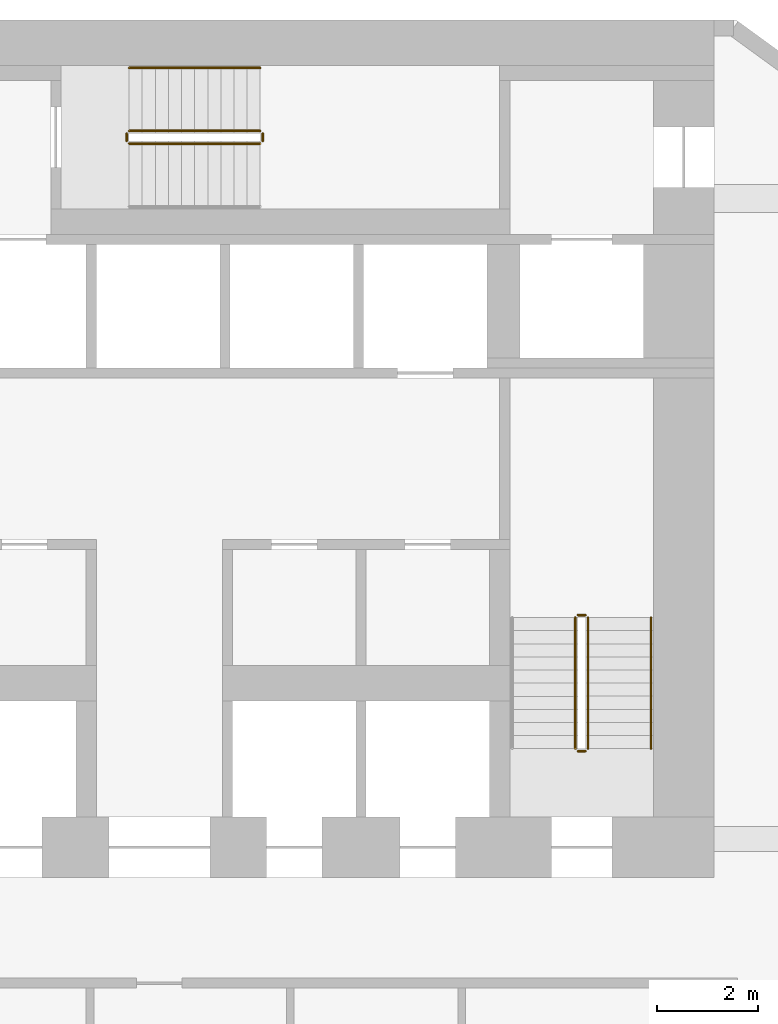
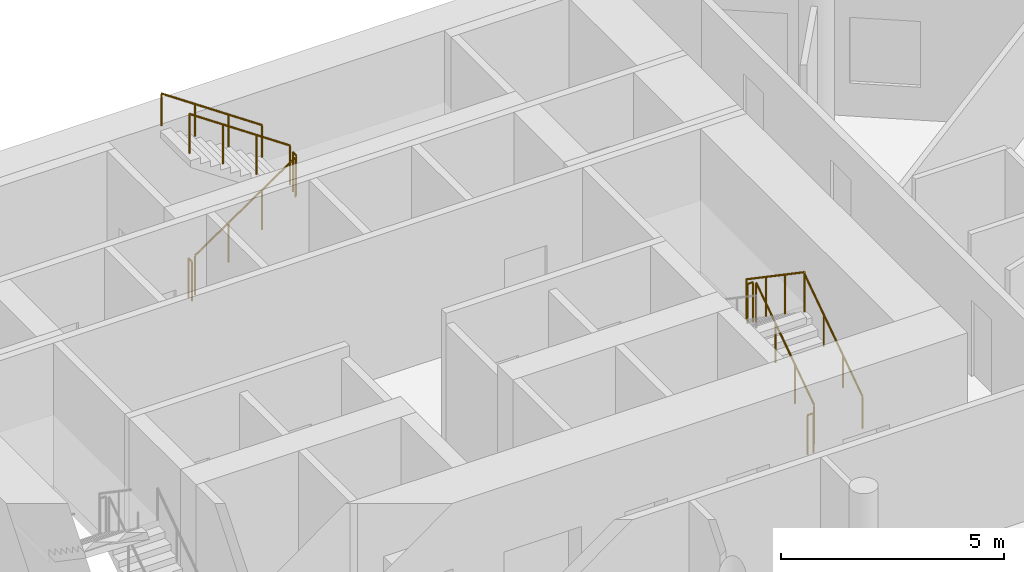
# One storey, part 9 of 9: 10 railings.
"""IFC4 building model written with IfcOpenShell, lengths in metres."""

from ifc_helpers import new_model, si_unit, direction, frame, origin, origin_2d, place, context, subcontext, project, spatial, circle, extrude, material, type_object, element, save


model = new_model("IFC4")

# Units and contexts
model_context = context("Model", 3, precision=1e-05, world=origin(), true_north=direction((0.0, 1.0)))
body_context = subcontext(model_context, "Body", "Model", "MODEL_VIEW")
ifc_project = project(units=[si_unit("LENGTHUNIT", "METRE"), si_unit("AREAUNIT", "SQUARE_METRE"), si_unit("VOLUMEUNIT", "CUBIC_METRE"), si_unit("PLANEANGLEUNIT", "RADIAN"), si_unit("MASSUNIT", "GRAM", prefix="KILO")], contexts=[model_context])

# Site, building, storey
site_placement = place(None, origin())
site = spatial("IfcSite", under=ifc_project, at=site_placement, CompositionType="ELEMENT")
building_placement = place(site_placement, origin())
building = spatial("IfcBuilding", under=site, at=building_placement, Name="White Candle Pilgrim Tower", CompositionType="ELEMENT")
storey_placement = place(building_placement, frame((0.0, 0.0, 46.800048828125)))
storey = spatial("IfcBuildingStorey", under=building, at=storey_placement, Name="L08", CompositionType="ELEMENT", Elevation=46.800048828125)

# Railings
ifc_material = material(Name="Stainless steel", Category="steel")
railing_type_1 = type_object("IfcRailingType", Name="Stair guard stainless steel 1100 mm", PredefinedType="GUARDRAIL", material=ifc_material)
railing_1_placement = place(storey_placement, frame((78.5, 73.550048828125, 0.17724609375)))
element("IfcRailing", 1, at=railing_1_placement, inside=storey, type_object=railing_type_1, Name="L08 ST2 stair guard 1", PredefinedType="GUARDRAIL", context=body_context, shape_type="SweptSolid", body=[
    extrude(circle(Radius=0.02392578125, at=origin_2d()), frame((0.0, 0.0, 1.076171875), z_axis=(0.0, 0.826215852431, 0.563353676824), x_axis=(-1.0, 0.0, 0.0)), (0.0, 0.0, 1.0), 3.146728515625),
    extrude(circle(Radius=0.02099609375, at=origin_2d()), origin(), (0.0, 0.0, 1.0), 1.052001953125),
    extrude(circle(Radius=0.02099609375, at=origin_2d()), frame((0.0, 0.86669921875, 0.5908203125)), (0.0, 0.0, 1.0), 1.052001953125),
    extrude(circle(Radius=0.02099609375, at=origin_2d()), frame((0.0, 1.733154296875, 1.181884765625)), (0.0, 0.0, 1.0), 1.052001953125),
    extrude(circle(Radius=0.02099609375, at=origin_2d()), frame((0.0, 2.599853515625, 1.772705078125)), (0.0, 0.0, 1.0), 1.052001953125),
])
railing_2_placement = place(storey_placement, frame((78.449951171875, 76.199951171875, 1.949951171875)))
element("IfcRailing", 2, at=railing_2_placement, inside=storey, type_object=railing_type_1, Name="L08 ST2 stair guard 2", PredefinedType="GUARDRAIL", context=body_context, shape_type="SweptSolid", body=[
    extrude(circle(Radius=0.02392578125, at=origin_2d()), frame((0.0, 0.0, 1.076171875), z_axis=(-1.0, 0.0, 0.0), x_axis=(0.0, -1.0, 0.0)), (0.0, 0.0, 1.0), 0.14990234375),
    extrude(circle(Radius=0.02099609375, at=origin_2d()), origin(), (0.0, 0.0, 1.0), 1.052001953125),
    extrude(circle(Radius=0.02099609375, at=origin_2d()), frame((-0.14990234375, 0.0, 0.0)), (0.0, 0.0, 1.0), 1.052001953125),
])
railing_3_placement = place(storey_placement, frame((78.25, 76.14990234375, 2.127197265625)))
element("IfcRailing", 3, at=railing_3_placement, inside=storey, type_object=railing_type_1, Name="L08 ST2 stair guard 3", PredefinedType="GUARDRAIL", context=body_context, shape_type="SweptSolid", body=[
    extrude(circle(Radius=0.02392578125, at=origin_2d()), frame((0.0, 0.0, 1.076171875), z_axis=(0.0, -0.826215852431, 0.563353676824), x_axis=(1.0, 0.0, 0.0)), (0.0, 0.0, 1.0), 3.146728515625),
    extrude(circle(Radius=0.02099609375, at=origin_2d()), origin(), (0.0, 0.0, 1.0), 1.052001953125),
    extrude(circle(Radius=0.02099609375, at=origin_2d()), frame((0.0, -0.86669921875, 0.5908203125)), (0.0, 0.0, 1.0), 1.052001953125),
    extrude(circle(Radius=0.02099609375, at=origin_2d()), frame((0.0, -1.733154296875, 1.181884765625)), (0.0, 0.0, 1.0), 1.052001953125),
    extrude(circle(Radius=0.02099609375, at=origin_2d()), frame((0.0, -2.599853515625, 1.772705078125)), (0.0, 0.0, 1.0), 1.052001953125),
])
railing_4_placement = place(storey_placement, frame((78.449951171875, 73.5, 0.0)))
element("IfcRailing", 4, at=railing_4_placement, inside=storey, type_object=railing_type_1, Name="L08 ST2 stair guard 4", PredefinedType="GUARDRAIL", context=body_context, shape_type="SweptSolid", body=[
    extrude(circle(Radius=0.02392578125, at=origin_2d()), frame((0.0, 0.0, 1.076171875), z_axis=(-1.0, 0.0, 0.0), x_axis=(0.0, -1.0, 0.0)), (0.0, 0.0, 1.0), 0.14990234375),
    extrude(circle(Radius=0.02099609375, at=origin_2d()), origin(), (0.0, 0.0, 1.0), 1.052001953125),
    extrude(circle(Radius=0.02099609375, at=origin_2d()), frame((-0.14990234375, 0.0, 0.0)), (0.0, 0.0, 1.0), 1.052001953125),
])
railing_5_placement = place(storey_placement, frame((69.39990234375, 85.550048828125, 0.17724609375)))
element("IfcRailing", 5, at=railing_5_placement, inside=storey, type_object=railing_type_1, Name="L08 ST3 stair guard 1", PredefinedType="GUARDRAIL", context=body_context, shape_type="SweptSolid", body=[
    extrude(circle(Radius=0.02392578125, at=origin_2d()), frame((0.0, 0.0, 1.076171875), z_axis=(0.826240473404, 0.0, 0.563317565952), x_axis=(0.0, 1.0, 0.0)), (0.0, 0.0, 1.0), 3.14697265625),
    extrude(circle(Radius=0.02099609375, at=origin_2d()), origin(), (0.0, 0.0, 1.0), 1.052001953125),
    extrude(circle(Radius=0.02099609375, at=origin_2d()), frame((0.86669921875, 0.0, 0.5908203125)), (0.0, 0.0, 1.0), 1.052001953125),
    extrude(circle(Radius=0.02099609375, at=origin_2d()), frame((1.7333984375, 0.0, 1.181884765625)), (0.0, 0.0, 1.0), 1.052001953125),
    extrude(circle(Radius=0.02099609375, at=origin_2d()), frame((2.60009765625, 0.0, 1.772705078125)), (0.0, 0.0, 1.0), 1.052001953125),
])
railing_6_placement = place(storey_placement, frame((72.050048828125, 85.60009765625, 1.949951171875)))
element("IfcRailing", 6, at=railing_6_placement, inside=storey, type_object=railing_type_1, Name="L08 ST3 stair guard 2", PredefinedType="GUARDRAIL", context=body_context, shape_type="SweptSolid", body=[
    extrude(circle(Radius=0.02392578125, at=origin_2d()), frame((0.0, 0.0, 1.076171875), z_axis=(0.0, 1.0, 0.0), x_axis=(-1.0, 0.0, 0.0)), (0.0, 0.0, 1.0), 0.14990234375),
    extrude(circle(Radius=0.02099609375, at=origin_2d()), origin(), (0.0, 0.0, 1.0), 1.052001953125),
    extrude(circle(Radius=0.02099609375, at=origin_2d()), frame((0.0, 0.14990234375, 0.0)), (0.0, 0.0, 1.0), 1.052001953125),
])
railing_7_placement = place(storey_placement, frame((72.0, 85.800048828125, 2.127197265625)))
element("IfcRailing", 7, at=railing_7_placement, inside=storey, type_object=railing_type_1, Name="L08 ST3 stair guard 3", PredefinedType="GUARDRAIL", context=body_context, shape_type="SweptSolid", body=[
    extrude(circle(Radius=0.02392578125, at=origin_2d()), frame((0.0, 0.0, 1.076171875), z_axis=(-0.826240473404, 0.0, 0.563317565952), x_axis=(0.0, -1.0, 0.0)), (0.0, 0.0, 1.0), 3.14697265625),
    extrude(circle(Radius=0.02099609375, at=origin_2d()), origin(), (0.0, 0.0, 1.0), 1.052001953125),
    extrude(circle(Radius=0.02099609375, at=origin_2d()), frame((-0.86669921875, 0.0, 0.5908203125)), (0.0, 0.0, 1.0), 1.052001953125),
    extrude(circle(Radius=0.02099609375, at=origin_2d()), frame((-1.7333984375, 0.0, 1.181884765625)), (0.0, 0.0, 1.0), 1.052001953125),
    extrude(circle(Radius=0.02099609375, at=origin_2d()), frame((-2.60009765625, 0.0, 1.772705078125)), (0.0, 0.0, 1.0), 1.052001953125),
])
railing_8_placement = place(storey_placement, frame((69.35009765625, 85.60009765625, 0.0)))
element("IfcRailing", 8, at=railing_8_placement, inside=storey, type_object=railing_type_1, Name="L08 ST3 stair guard 4", PredefinedType="GUARDRAIL", context=body_context, shape_type="SweptSolid", body=[
    extrude(circle(Radius=0.02392578125, at=origin_2d()), frame((0.0, 0.0, 1.076171875), z_axis=(0.0, 1.0, 0.0), x_axis=(-1.0, 0.0, 0.0)), (0.0, 0.0, 1.0), 0.14990234375),
    extrude(circle(Radius=0.02099609375, at=origin_2d()), origin(), (0.0, 0.0, 1.0), 1.052001953125),
    extrude(circle(Radius=0.02099609375, at=origin_2d()), frame((0.0, 0.14990234375, 0.0)), (0.0, 0.0, 1.0), 1.052001953125),
])
railing_type_2 = type_object("IfcRailingType", Name="Stair handrail stainless steel", PredefinedType="HANDRAIL", material=ifc_material)
railing_9_placement = place(storey_placement, frame((79.75, 73.550048828125, 0.17724609375)))
element("IfcRailing", 9, at=railing_9_placement, inside=storey, type_object=railing_type_2, Name="L08 ST2 stair handrail 1", PredefinedType="HANDRAIL", context=body_context, shape_type="SweptSolid", body=[
    extrude(circle(Radius=0.02392578125, at=origin_2d()), frame((0.0, 0.0, 0.8759765625), z_axis=(0.0, 0.826215852431, 0.563353676824), x_axis=(-1.0, 0.0, 0.0)), (0.0, 0.0, 1.0), 3.146728515625),
    extrude(circle(Radius=0.02099609375, at=origin_2d()), origin(), (0.0, 0.0, 1.0), 0.851806640625),
    extrude(circle(Radius=0.02099609375, at=origin_2d()), frame((0.0, 0.86669921875, 0.5908203125)), (0.0, 0.0, 1.0), 0.851806640625),
    extrude(circle(Radius=0.02099609375, at=origin_2d()), frame((0.0, 1.733154296875, 1.181884765625)), (0.0, 0.0, 1.0), 0.851806640625),
    extrude(circle(Radius=0.02099609375, at=origin_2d()), frame((0.0, 2.599853515625, 1.772705078125)), (0.0, 0.0, 1.0), 0.851806640625),
])
railing_10_placement = place(storey_placement, frame((72.0, 87.050048828125, 2.127197265625)))
element("IfcRailing", 10, at=railing_10_placement, inside=storey, type_object=railing_type_2, Name="L08 ST3 stair handrail 2", PredefinedType="HANDRAIL", context=body_context, shape_type="SweptSolid", body=[
    extrude(circle(Radius=0.02392578125, at=origin_2d()), frame((0.0, 0.0, 0.8759765625), z_axis=(-0.826240473404, 0.0, 0.563317565952), x_axis=(0.0, -1.0, 0.0)), (0.0, 0.0, 1.0), 3.14697265625),
    extrude(circle(Radius=0.02099609375, at=origin_2d()), origin(), (0.0, 0.0, 1.0), 0.851806640625),
    extrude(circle(Radius=0.02099609375, at=origin_2d()), frame((-0.86669921875, 0.0, 0.5908203125)), (0.0, 0.0, 1.0), 0.851806640625),
    extrude(circle(Radius=0.02099609375, at=origin_2d()), frame((-1.7333984375, 0.0, 1.181884765625)), (0.0, 0.0, 1.0), 0.851806640625),
    extrude(circle(Radius=0.02099609375, at=origin_2d()), frame((-2.60009765625, 0.0, 1.772705078125)), (0.0, 0.0, 1.0), 0.851806640625),
])

save(model, "model.ifc")
